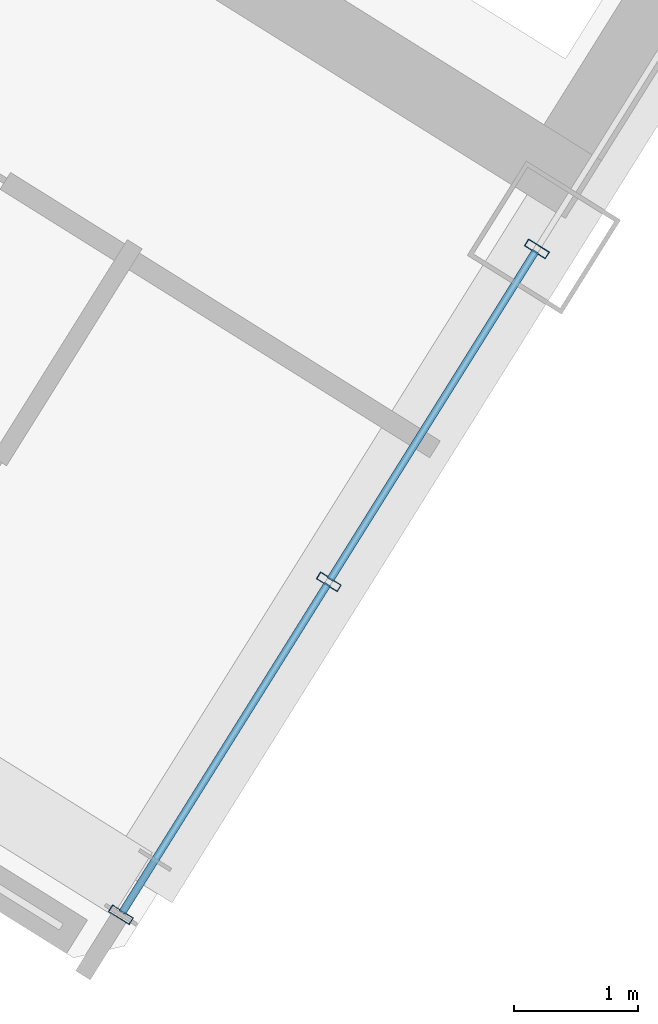
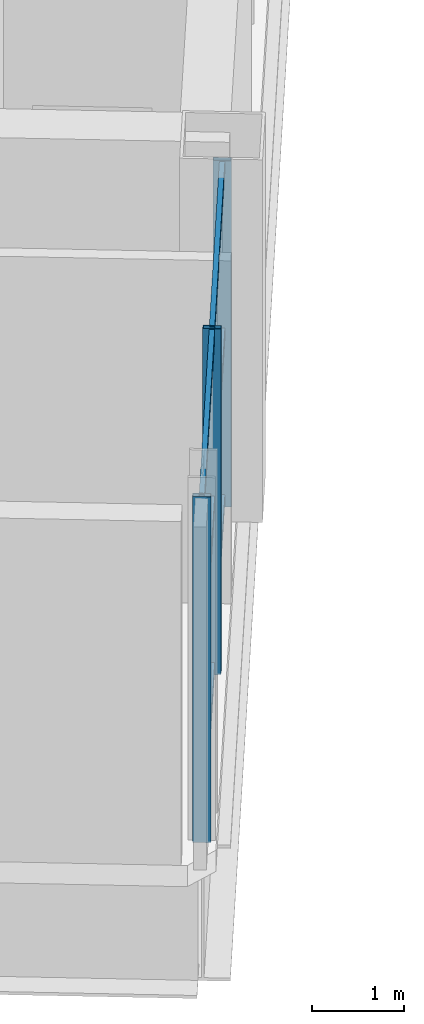
# One storey, part 6 of 22: 9 members, 1 element without a shape of its own.
"""IFC4 building model written with IfcOpenShell, lengths in metres."""

from ifc_helpers import new_model, si_unit, direction, frame, origin, origin_2d, place, context, subcontext, project, spatial, hollow_rectangle, extrude, source, transform, mapped, material, material_profile, profile_set, type_object, element, aggregate, save


model = new_model("IFC4")

# Units and contexts
model_context = context("Model", 3, precision=1e-05, world=origin(), true_north=direction((0.0, 1.0)))
body_context = subcontext(model_context, "Body", "Model", "MODEL_VIEW")
ifc_project = project(units=[si_unit("LENGTHUNIT", "METRE"), si_unit("AREAUNIT", "SQUARE_METRE"), si_unit("VOLUMEUNIT", "CUBIC_METRE"), si_unit("PLANEANGLEUNIT", "RADIAN"), si_unit("MASSUNIT", "GRAM", prefix="KILO")], contexts=[model_context])

# Site, building, storey
site_placement = place(None, origin())
site = spatial("IfcSite", under=ifc_project, at=site_placement, CompositionType="ELEMENT")
building_placement = place(site_placement, origin())
building = spatial("IfcBuilding", under=site, at=building_placement, Name="Tlacorven Tower", CompositionType="ELEMENT")
storey_placement = place(building_placement, frame((0.0, 0.0, 127.800048828125)))
storey = spatial("IfcBuildingStorey", under=building, at=storey_placement, Name="L32", CompositionType="ELEMENT", Elevation=127.800048828125)

# Curtain wall, members
ifc_material_1 = material(Name="Dark solar low-E double glazing in aluminium frame", Category="aluminium")
curtain_wall_type = type_object("IfcCurtainWallType", Name="CW-TWR-MID", PredefinedType="USERDEFINED", material=ifc_material_1)
curtain_wall_placement = place(storey_placement, origin())
curtain_wall = element("IfcCurtainWall", 1, at=curtain_wall_placement, inside=storey, type_object=curtain_wall_type, Name="L32 CW-TWR-MID Curtain Wall 155", ObjectType="UNITISED CURTAIN WALL", PredefinedType="USERDEFINED")
ifc_material_2 = material(Name="Aluminium 6063-T6 anodised", Category="aluminium")
ifc_material_profile_1 = material_profile(ifc_material_2, hollow_rectangle(XDim=0.06494140625, YDim=0.199951171875, WallThickness=0.00439453125, at=origin_2d()), Name="ALU MULLION 65X200")
ifc_profile_set_1 = profile_set([ifc_material_profile_1], Name="Aluminium 6063-T6 anodised")
member_type_1 = type_object("IfcMemberType", Name="CWM-02", PredefinedType="MULLION", material=ifc_profile_set_1)
shared_shape_1 = source(origin(), body_context, "Body", "SweptSolid", [
    extrude(hollow_rectangle(XDim=0.06494140625, YDim=0.199951171875, WallThickness=0.00439453125, at=origin_2d()), origin(), (0.0, 0.0, 1.0), 4.580078125),
])
member_1_placement = place(storey_placement, frame((32.9892578125, 11.99560546875, -0.02001953125), z_axis=(0.0, 0.0, 1.0), x_axis=(-0.529919272078, -0.848048091255, 0.0)))
member_1 = element("IfcMember", 2, at=member_1_placement, type_object=member_type_1, Name="CW-L32-155 Mullion 1", PredefinedType="MULLION", context=body_context, shape_type="MappedRepresentation", body=[
    mapped(shared_shape_1, transform((0.0, 0.0, 0.0), scale=1.0)),
])
member_2_placement = place(storey_placement, frame((31.3056640625, 9.301513671875, -0.02001953125), z_axis=(0.0, 0.0, 1.0), x_axis=(-0.529919272078, -0.848048091255, 0.0)))
member_2 = element("IfcMember", 3, at=member_2_placement, type_object=member_type_1, Name="CW-L32-155 Mullion 2", PredefinedType="MULLION", context=body_context, shape_type="MappedRepresentation", body=[
    mapped(shared_shape_1, transform((0.0, 0.0, 0.0), scale=1.0)),
])
member_3_placement = place(storey_placement, frame((29.622314453125, 6.607421875, -0.02001953125), z_axis=(0.0, 0.0, 1.0), x_axis=(-0.529919272078, -0.848048091255, 0.0)))
member_3 = element("IfcMember", 4, at=member_3_placement, type_object=member_type_1, Name="CW-L32-155 Mullion 3", PredefinedType="MULLION", context=body_context, shape_type="MappedRepresentation", body=[
    mapped(shared_shape_1, transform((0.0, 0.0, 0.0), scale=1.0)),
])
ifc_material_profile_2 = material_profile(ifc_material_2, hollow_rectangle(XDim=0.06005859375, YDim=0.139892578125, WallThickness=0.00390625, at=origin_2d()), Name="ALU TRANSOM 60X140")
ifc_profile_set_2 = profile_set([ifc_material_profile_2], Name="Aluminium 6063-T6 anodised")
member_type_2 = type_object("IfcMemberType", Name="CWT-02", PredefinedType="USERDEFINED", material=ifc_profile_set_2)
shared_shape_2 = source(origin(), body_context, "Body", "SweptSolid", [
    extrude(hollow_rectangle(XDim=0.06005859375, YDim=0.139892578125, WallThickness=0.00390625, at=origin_2d()), origin(), (0.0, 0.0, 1.0), 3.1357421875),
])
member_4_placement = place(storey_placement, frame((32.978271484375, 11.978271484375, 0.070068359375), z_axis=(-0.529914953616, -0.848050789714, 0.0), x_axis=(0.848050789714, -0.529914953616, 0.0)))
member_4 = element("IfcMember", 5, at=member_4_placement, type_object=member_type_2, Name="CW-L32-155 Transom 1", ObjectType="TRANSOM", PredefinedType="USERDEFINED", context=body_context, shape_type="MappedRepresentation", body=[
    mapped(shared_shape_2, transform((0.0, 0.0, 0.0), scale=1.0)),
])
member_5_placement = place(storey_placement, frame((32.978271484375, 11.978271484375, 2.27490234375), z_axis=(-0.529914953616, -0.848050789714, 0.0), x_axis=(0.848050789714, -0.529914953616, 0.0)))
member_5 = element("IfcMember", 6, at=member_5_placement, type_object=member_type_2, Name="CW-L32-155 Transom 2", ObjectType="TRANSOM", PredefinedType="USERDEFINED", context=body_context, shape_type="MappedRepresentation", body=[
    mapped(shared_shape_2, transform((0.0, 0.0, 0.0), scale=1.0)),
])
member_6_placement = place(storey_placement, frame((32.978271484375, 11.978271484375, 4.47998046875), z_axis=(-0.529914953616, -0.848050789714, 0.0), x_axis=(0.848050789714, -0.529914953616, 0.0)))
member_6 = element("IfcMember", 7, at=member_6_placement, type_object=member_type_2, Name="CW-L32-155 Transom 3", ObjectType="TRANSOM", PredefinedType="USERDEFINED", context=body_context, shape_type="MappedRepresentation", body=[
    mapped(shared_shape_2, transform((0.0, 0.0, 0.0), scale=1.0)),
])
shared_shape_3 = source(origin(), body_context, "Body", "SweptSolid", [
    extrude(hollow_rectangle(XDim=0.06005859375, YDim=0.139892578125, WallThickness=0.00390625, at=origin_2d()), origin(), (0.0, 0.0, 1.0), 3.135986328125),
])
member_7_placement = place(storey_placement, frame((31.294921875, 9.2841796875, 0.070068359375), z_axis=(-0.529935957458, -0.848037664843, 0.0), x_axis=(0.848037664843, -0.529935957458, 0.0)))
member_7 = element("IfcMember", 8, at=member_7_placement, type_object=member_type_2, Name="CW-L32-155 Transom 4", ObjectType="TRANSOM", PredefinedType="USERDEFINED", context=body_context, shape_type="MappedRepresentation", body=[
    mapped(shared_shape_3, transform((0.0, 0.0, 0.0), scale=1.0)),
])
member_8_placement = place(storey_placement, frame((31.294921875, 9.2841796875, 2.27490234375), z_axis=(-0.529935957458, -0.848037664843, 0.0), x_axis=(0.848037664843, -0.529935957458, 0.0)))
member_8 = element("IfcMember", 9, at=member_8_placement, type_object=member_type_2, Name="CW-L32-155 Transom 5", ObjectType="TRANSOM", PredefinedType="USERDEFINED", context=body_context, shape_type="MappedRepresentation", body=[
    mapped(shared_shape_3, transform((0.0, 0.0, 0.0), scale=1.0)),
])
member_9_placement = place(storey_placement, frame((31.294921875, 9.2841796875, 4.47998046875), z_axis=(-0.529935957458, -0.848037664843, 0.0), x_axis=(0.848037664843, -0.529935957458, 0.0)))
member_9 = element("IfcMember", 10, at=member_9_placement, type_object=member_type_2, Name="CW-L32-155 Transom 6", ObjectType="TRANSOM", PredefinedType="USERDEFINED", context=body_context, shape_type="MappedRepresentation", body=[
    mapped(shared_shape_3, transform((0.0, 0.0, 0.0), scale=1.0)),
])
aggregate(curtain_wall, [member_1, member_2, member_3, member_4, member_5, member_6, member_7, member_8, member_9])

save(model, "model.ifc")
